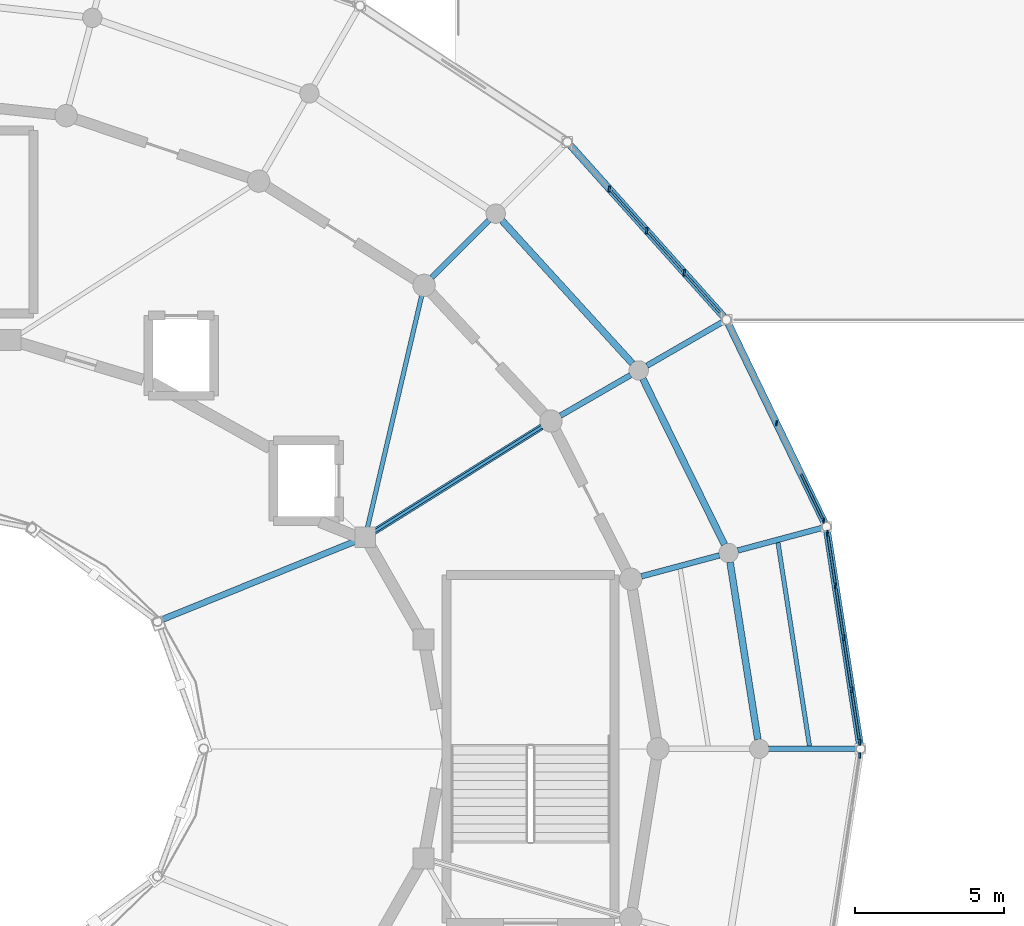
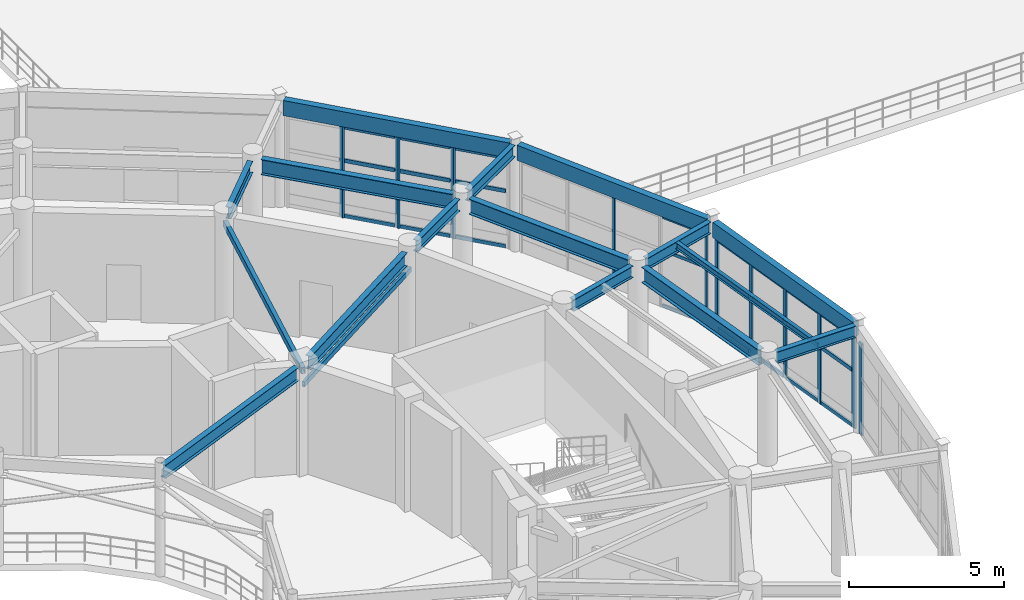
# One storey, part 28 of 60: 37 members, 15 beams, 4 elements without a shape of their own.
"""IFC4 building model written with IfcOpenShell, lengths in metres."""

from ifc_helpers import new_model, si_unit, direction, frame, origin, origin_2d, place, context, subcontext, project, spatial, rectangle, hollow_rectangle, i_section, extrude, material, material_profile, profile_set, type_object, element, aggregate, save


model = new_model("IFC4")

# Units and contexts
model_context = context("Model", 3, precision=1e-05, world=origin(), true_north=direction((0.0, 1.0)))
body_context = subcontext(model_context, "Body", "Model", "MODEL_VIEW")
ifc_project = project(units=[si_unit("LENGTHUNIT", "METRE"), si_unit("AREAUNIT", "SQUARE_METRE"), si_unit("VOLUMEUNIT", "CUBIC_METRE"), si_unit("PLANEANGLEUNIT", "RADIAN"), si_unit("MASSUNIT", "GRAM", prefix="KILO")], contexts=[model_context])

# Site, building, storey
site_placement = place(None, origin())
site = spatial("IfcSite", under=ifc_project, at=site_placement, CompositionType="ELEMENT")
building_placement = place(site_placement, origin())
building = spatial("IfcBuilding", under=site, at=building_placement, Name="Cinderbank Siding Concert Hall", CompositionType="ELEMENT")
storey_placement = place(building_placement, frame((0.0, 0.0, 14.699951171875)))
storey = spatial("IfcBuildingStorey", under=building, at=storey_placement, Name="L04", CompositionType="ELEMENT", Elevation=14.699951171875)

# Beams
ifc_material_1 = material(Name="Structural steel AS/NZS 3679.1 Grade 350 (340 MPa)", Category="steel")
ifc_material_profile_1 = material_profile(ifc_material_1, i_section(OverallWidth=0.19091796875, OverallDepth=0.46044921875, WebThickness=0.010009765625, FlangeThickness=0.01611328125, at=origin_2d()), Name="460UB82.1", Category="LoadBearing")
ifc_profile_set_1 = profile_set([ifc_material_profile_1], Name="Structural steel AS/NZS 3679.1 Grade 350 (340 MPa)")
beam_type_1 = type_object("IfcBeamType", Name="BM-UB460H 460UB82.1", PredefinedType="BEAM", material=ifc_profile_set_1)
beam_1_placement = place(storey_placement, frame((148.2412109375, 49.7890625, 4.03173828125), z_axis=(0.965934410535, 0.258787006135, 0.0), x_axis=(-0.258787006135, 0.965934410535, 0.0)))
element("IfcBeam", 1, at=beam_1_placement, inside=storey, type_object=beam_type_1, Name="L04 Beam BM-UB460H #712", PredefinedType="BEAM", context=body_context, shape_type="SweptSolid", body=[
    extrude(i_section(OverallWidth=0.19091796875, OverallDepth=0.46044921875, WebThickness=0.010009765625, FlangeThickness=0.01611328125, at=origin_2d()), origin(), (0.0, 0.0, 1.0), 2.716064453125),
])
beam_2_placement = place(storey_placement, frame((145.52734375, 55.18359375, 4.03173828125), z_axis=(0.866032896488, 0.499987022033, 0.0), x_axis=(-0.499987022033, 0.866032896488, 0.0)))
element("IfcBeam", 2, at=beam_2_placement, inside=storey, type_object=beam_type_1, Name="L04 Beam BM-UB460H #714", PredefinedType="BEAM", context=body_context, shape_type="SweptSolid", body=[
    extrude(i_section(OverallWidth=0.19091796875, OverallDepth=0.46044921875, WebThickness=0.010009765625, FlangeThickness=0.01611328125, at=origin_2d()), origin(), (0.0, 0.0, 1.0), 2.7158203125),
])
beam_3_placement = place(storey_placement, frame((141.2099609375, 59.81591796875, 4.03173828125), z_axis=(0.707151723938, 0.707061835578, 0.0), x_axis=(-0.707061835578, 0.707151723938, 0.0)))
element("IfcBeam", 3, at=beam_3_placement, inside=storey, type_object=beam_type_1, Name="L04 Beam BM-UB460H #715", PredefinedType="BEAM", context=body_context, shape_type="SweptSolid", body=[
    extrude(i_section(OverallWidth=0.19091796875, OverallDepth=0.46044921875, WebThickness=0.010009765625, FlangeThickness=0.01611328125, at=origin_2d()), origin(), (0.0, 0.0, 1.0), 2.716064453125),
])
for number, where, z_axis, x_axis, name in (
    (4, (152.51708984375, 44.0, 4.001953125), (1.0, 0.0, 0.0), (0.0, 1.0, 0.0), "L04 Beam BM-UB460H #734"),
    (5, (151.477294921875, 50.656005859375, 4.001953125), (0.965904885504, 0.258897184534, 0.0), (-0.258897184534, 0.965904885504, 0.0), "L04 Beam BM-UB460H #735"),
):
    element("IfcBeam", number, at=place(storey_placement, frame(where, z_axis=z_axis, x_axis=x_axis)), inside=storey, type_object=beam_type_1, Name=name, PredefinedType="BEAM", context=body_context, shape_type="SweptSolid", body=[
        extrude(i_section(OverallWidth=0.19091796875, OverallDepth=0.46044921875, WebThickness=0.010009765625, FlangeThickness=0.01611328125, at=origin_2d()), origin(), (0.0, 0.0, 1.0), 2.928955078125),
    ])
beam_4_placement = place(storey_placement, frame((148.428466796875, 56.8583984375, 4.001953125), z_axis=(0.866013467834, 0.500020673103, 0.0), x_axis=(-0.500020673103, 0.866013467834, 0.0)))
element("IfcBeam", 6, at=beam_4_placement, inside=storey, type_object=beam_type_1, Name="L04 Beam BM-UB460H #737", PredefinedType="BEAM", context=body_context, shape_type="SweptSolid", body=[
    extrude(i_section(OverallWidth=0.19091796875, OverallDepth=0.46044921875, WebThickness=0.010009765625, FlangeThickness=0.01611328125, at=origin_2d()), origin(), (0.0, 0.0, 1.0), 2.92919921875),
])
ifc_material_profile_2 = material_profile(ifc_material_1, i_section(OverallWidth=0.208984375, OverallDepth=0.5283203125, WebThickness=0.009521484375, FlangeThickness=0.01318359375, at=origin_2d()), Name="530UB82.0", Category="LoadBearing")
ifc_profile_set_2 = profile_set([ifc_material_profile_2], Name="Structural steel AS/NZS 3679.1 Grade 350 (340 MPa)")
beam_type_2 = type_object("IfcBeamType", Name="BM-UB530 530UB82.0", PredefinedType="BEAM", material=ifc_profile_set_2)
beam_5_placement = place(storey_placement, frame((132.145263671875, 48.332763671875, 3.988037109375), z_axis=(0.926787327391, 0.375586541008, 0.0), x_axis=(-0.375586541008, 0.926787327391, 0.0)))
element("IfcBeam", 7, at=beam_5_placement, inside=storey, type_object=beam_type_2, Name="L04 Beam BM-UB530 #192", PredefinedType="BEAM", context=body_context, shape_type="SweptSolid", body=[
    extrude(i_section(OverallWidth=0.208984375, OverallDepth=0.5283203125, WebThickness=0.009521484375, FlangeThickness=0.01318359375, at=origin_2d()), origin(), (0.0, 0.0, 1.0), 7.026123046875),
])
ifc_material_profile_3 = material_profile(ifc_material_1, i_section(OverallWidth=0.208984375, OverallDepth=0.532958984375, WebThickness=0.01025390625, FlangeThickness=0.015625, at=origin_2d()), Name="530UB92.4", Category="LoadBearing")
ifc_profile_set_3 = profile_set([ifc_material_profile_3], Name="Structural steel AS/NZS 3679.1 Grade 350 (340 MPa)")
beam_type_3 = type_object("IfcBeamType", Name="BM-UB530H 530UB92.4", PredefinedType="BEAM", material=ifc_profile_set_3)
beam_6_placement = place(storey_placement, frame((139.26416015625, 51.281494140625, 3.985595703125), z_axis=(0.84781868984, 0.530286214376, 0.0), x_axis=(-0.530286214376, 0.84781868984, 0.0)))
element("IfcBeam", 8, at=beam_6_placement, inside=storey, type_object=beam_type_3, Name="L04 Beam BM-UB530H #700", PredefinedType="BEAM", context=body_context, shape_type="SweptSolid", body=[
    extrude(i_section(OverallWidth=0.208984375, OverallDepth=0.532958984375, WebThickness=0.01025390625, FlangeThickness=0.015625, at=origin_2d()), origin(), (0.0, 0.0, 1.0), 6.645263671875),
])
ifc_material_profile_4 = material_profile(ifc_material_1, i_section(OverallWidth=0.22802734375, OverallDepth=0.60693359375, WebThickness=0.01123046875, FlangeThickness=0.017333984375, at=origin_2d()), Name="610UB113", Category="LoadBearing")
ifc_profile_set_4 = profile_set([ifc_material_profile_4], Name="Structural steel AS/NZS 3679.1 Grade 350 (340 MPa)")
beam_type_4 = type_object("IfcBeamType", Name="BM-UB610M 610UB113", PredefinedType="BEAM", material=ifc_profile_set_4)
beam_7_placement = place(storey_placement, frame((152.15087890625, 44.313232421875, 3.928466796875), z_axis=(-0.154637914322, 0.987971211855, 0.0), x_axis=(-0.987971211855, -0.154637914322, 0.0)))
element("IfcBeam", 9, at=beam_7_placement, inside=storey, type_object=beam_type_4, Name="L04 Beam BM-UB610M #652", PredefinedType="BEAM", context=body_context, shape_type="SweptSolid", body=[
    extrude(i_section(OverallWidth=0.22802734375, OverallDepth=0.60693359375, WebThickness=0.01123046875, FlangeThickness=0.017333984375, at=origin_2d()), origin(), (0.0, 0.0, 1.0), 6.02001953125),
])
beam_8_placement = place(storey_placement, frame((151.031005859375, 50.8583984375, 3.928466796875), z_axis=(-0.441813843649, 0.897106753714, 0.0), x_axis=(-0.897106753714, -0.441813843649, 0.0)))
element("IfcBeam", 10, at=beam_8_placement, inside=storey, type_object=beam_type_4, Name="L04 Beam BM-UB610M #653", PredefinedType="BEAM", context=body_context, shape_type="SweptSolid", body=[
    extrude(i_section(OverallWidth=0.22802734375, OverallDepth=0.60693359375, WebThickness=0.01123046875, FlangeThickness=0.017333984375, at=origin_2d()), origin(), (0.0, 0.0, 1.0), 6.194580078125),
])
beam_9_placement = place(storey_placement, frame((147.940185546875, 56.93408203125, 3.928466796875), z_axis=(-0.67395874418, 0.73876898361, 0.0), x_axis=(-0.73876898361, -0.67395874418, 0.0)))
element("IfcBeam", 11, at=beam_9_placement, inside=storey, type_object=beam_type_4, Name="L04 Beam BM-UB610M #654", PredefinedType="BEAM", context=body_context, shape_type="SweptSolid", body=[
    extrude(i_section(OverallWidth=0.22802734375, OverallDepth=0.60693359375, WebThickness=0.01123046875, FlangeThickness=0.017333984375, at=origin_2d()), origin(), (0.0, 0.0, 1.0), 6.48681640625),
])

# Curtain wall, members
ifc_material_2 = material(Name="Anodised aluminium alloy 6063-T6", Category="aluminium")
curtain_wall_type_1 = type_object("IfcCurtainWallType", Name="CW-02 Unitised Acoustic Curtain Wall 7800x4400", PredefinedType="NOTDEFINED", material=ifc_material_2)
curtain_wall_1_placement = place(storey_placement, origin())
curtain_wall_1 = element("IfcCurtainWall", 12, at=curtain_wall_1_placement, inside=storey, type_object=curtain_wall_type_1, Name="L04 Curtain Wall CW-02 #50", PredefinedType="NOTDEFINED")
ifc_material_profile_5 = material_profile(ifc_material_2, rectangle(XDim=0.06005859375, YDim=0.159912109375, at=origin_2d()), Name="ALU-MULL-60x160", Category="LoadBearing")
ifc_profile_set_5 = profile_set([ifc_material_profile_5], Name="Anodised aluminium alloy 6063-T6")
member_type_1 = type_object("IfcMemberType", Name="CW-ML1 Mullion 60x160", PredefinedType="MULLION", material=ifc_profile_set_5)
member_1_placement = place(storey_placement, frame((154.3564453125, 51.658203125, 0.0), z_axis=(0.0, 0.0, 1.0), x_axis=(1.0, 0.0, 0.0)))
member_1 = element("IfcMember", 13, at=member_1_placement, type_object=member_type_1, Name="CW-L04-050 Mullion 0", PredefinedType="MULLION", context=body_context, shape_type="SweptSolid", body=[
    extrude(rectangle(XDim=0.06005859375, YDim=0.159912109375, at=origin_2d()), origin(), (0.0, 0.0, 1.0), 3.616943359375),
])
member_2_placement = place(storey_placement, frame((152.77685546875, 54.927001953125, 0.0), z_axis=(0.0, 0.0, 1.0), x_axis=(1.0, 0.0, 0.0)))
member_2 = element("IfcMember", 14, at=member_2_placement, type_object=member_type_1, Name="CW-L04-050 Mullion 2", PredefinedType="MULLION", context=body_context, shape_type="SweptSolid", body=[
    extrude(rectangle(XDim=0.06005859375, YDim=0.159912109375, at=origin_2d()), origin(), (0.0, 0.0, 1.0), 3.616943359375),
])

curtain_wall_type_2 = type_object("IfcCurtainWallType", Name="CW-01 Unitised Acoustic Curtain Wall 8200x4400", PredefinedType="NOTDEFINED", material=ifc_material_2)
curtain_wall_2_placement = place(storey_placement, origin())
curtain_wall_2 = element("IfcCurtainWall", 15, at=curtain_wall_2_placement, inside=storey, type_object=curtain_wall_type_2, Name="L04 Curtain Wall CW-01 #49", PredefinedType="NOTDEFINED")
ifc_material_profile_6 = material_profile(ifc_material_2, rectangle(XDim=0.06494140625, YDim=0.199951171875, at=origin_2d()), Name="ALU-MULL-65x200", Category="LoadBearing")
ifc_profile_set_6 = profile_set([ifc_material_profile_6], Name="Anodised aluminium alloy 6063-T6")
member_type_2 = type_object("IfcMemberType", Name="CW-ML2 Mullion 65x200", PredefinedType="MULLION", material=ifc_profile_set_6)
member_3_placement = place(storey_placement, frame((155.5654296875, 44.224365234375, 0.0), z_axis=(0.0, 0.0, 1.0), x_axis=(1.0, 0.0, 0.0)))
member_3 = element("IfcMember", 16, at=member_3_placement, type_object=member_type_2, Name="CW-L04-049 Mullion 0", PredefinedType="MULLION", context=body_context, shape_type="SweptSolid", body=[
    extrude(rectangle(XDim=0.06494140625, YDim=0.199951171875, at=origin_2d()), origin(), (0.0, 0.0, 1.0), 3.616943359375),
])
member_4_placement = place(storey_placement, frame((155.29638671875, 45.9755859375, 0.0), z_axis=(0.0, 0.0, 1.0), x_axis=(1.0, 0.0, 0.0)))
member_4 = element("IfcMember", 17, at=member_4_placement, type_object=member_type_2, Name="CW-L04-049 Mullion 1", PredefinedType="MULLION", context=body_context, shape_type="SweptSolid", body=[
    extrude(rectangle(XDim=0.06494140625, YDim=0.199951171875, at=origin_2d()), origin(), (0.0, 0.0, 1.0), 3.616943359375),
])
member_5_placement = place(storey_placement, frame((155.027587890625, 47.72705078125, 0.0), z_axis=(0.0, 0.0, 1.0), x_axis=(1.0, 0.0, 0.0)))
member_5 = element("IfcMember", 18, at=member_5_placement, type_object=member_type_2, Name="CW-L04-049 Mullion 2", PredefinedType="MULLION", context=body_context, shape_type="SweptSolid", body=[
    extrude(rectangle(XDim=0.06494140625, YDim=0.199951171875, at=origin_2d()), origin(), (0.0, 0.0, 1.0), 3.616943359375),
])
member_6_placement = place(storey_placement, frame((154.758544921875, 49.478271484375, 0.0), z_axis=(0.0, 0.0, 1.0), x_axis=(1.0, 0.0, 0.0)))
member_6 = element("IfcMember", 19, at=member_6_placement, type_object=member_type_2, Name="CW-L04-049 Mullion 3", PredefinedType="MULLION", context=body_context, shape_type="SweptSolid", body=[
    extrude(rectangle(XDim=0.06494140625, YDim=0.199951171875, at=origin_2d()), origin(), (0.0, 0.0, 1.0), 3.616943359375),
])
member_7_placement = place(storey_placement, frame((154.489501953125, 51.229736328125, 0.0), z_axis=(0.0, 0.0, 1.0), x_axis=(1.0, 0.0, 0.0)))
member_7 = element("IfcMember", 20, at=member_7_placement, type_object=member_type_2, Name="CW-L04-049 Mullion 4", PredefinedType="MULLION", context=body_context, shape_type="SweptSolid", body=[
    extrude(rectangle(XDim=0.06494140625, YDim=0.199951171875, at=origin_2d()), origin(), (0.0, 0.0, 1.0), 3.616943359375),
])

curtain_wall_type_3 = type_object("IfcCurtainWallType", Name="CW-03 Unitised Acoustic Curtain Wall 7400x4400", PredefinedType="NOTDEFINED", material=ifc_material_2)
curtain_wall_3_placement = place(storey_placement, origin())
curtain_wall_3 = element("IfcCurtainWall", 21, at=curtain_wall_3_placement, inside=storey, type_object=curtain_wall_type_3, Name="L04 Curtain Wall CW-03 #51", PredefinedType="NOTDEFINED")
member_8_placement = place(storey_placement, frame((149.68798828125, 59.9755859375, 0.0), z_axis=(0.0, 0.0, 1.0), x_axis=(1.0, 0.0, 0.0)))
member_8 = element("IfcMember", 22, at=member_8_placement, type_object=member_type_2, Name="CW-L04-051 Mullion 1", PredefinedType="MULLION", context=body_context, shape_type="SweptSolid", body=[
    extrude(rectangle(XDim=0.06494140625, YDim=0.199951171875, at=origin_2d()), origin(), (0.0, 0.0, 1.0), 3.616943359375),
])
member_9_placement = place(storey_placement, frame((148.4287109375, 61.38232421875, 0.0), z_axis=(0.0, 0.0, 1.0), x_axis=(1.0, 0.0, 0.0)))
member_9 = element("IfcMember", 23, at=member_9_placement, type_object=member_type_2, Name="CW-L04-051 Mullion 2", PredefinedType="MULLION", context=body_context, shape_type="SweptSolid", body=[
    extrude(rectangle(XDim=0.06494140625, YDim=0.199951171875, at=origin_2d()), origin(), (0.0, 0.0, 1.0), 3.616943359375),
])
member_10_placement = place(storey_placement, frame((147.16943359375, 62.7890625, 0.0), z_axis=(0.0, 0.0, 1.0), x_axis=(1.0, 0.0, 0.0)))
member_10 = element("IfcMember", 24, at=member_10_placement, type_object=member_type_2, Name="CW-L04-051 Mullion 3", PredefinedType="MULLION", context=body_context, shape_type="SweptSolid", body=[
    extrude(rectangle(XDim=0.06494140625, YDim=0.199951171875, at=origin_2d()), origin(), (0.0, 0.0, 1.0), 3.616943359375),
])

# Curtain wall, member
curtain_wall_type_4 = type_object("IfcCurtainWallType", Name="CW-12 Unitised Acoustic Curtain Wall 5800x3500", PredefinedType="NOTDEFINED", material=ifc_material_2)
curtain_wall_4_placement = place(storey_placement, origin())
curtain_wall_4 = element("IfcCurtainWall", 25, at=curtain_wall_4_placement, inside=storey, type_object=curtain_wall_type_4, Name="L04 Curtain Wall CW-12 #71", PredefinedType="NOTDEFINED")
member_11_placement = place(storey_placement, frame((155.5654296875, 43.775634765625, 0.0), z_axis=(0.0, 0.0, 1.0), x_axis=(1.0, 0.0, 0.0)))
member_11 = element("IfcMember", 26, at=member_11_placement, type_object=member_type_2, Name="CW-L04-071 Mullion 4", PredefinedType="MULLION", context=body_context, shape_type="SweptSolid", body=[
    extrude(rectangle(XDim=0.06494140625, YDim=0.199951171875, at=origin_2d()), origin(), (0.0, 0.0, 1.0), 3.616943359375),
])
aggregate(curtain_wall_4, [member_11])

# Member
ifc_material_profile_7 = material_profile(ifc_material_2, rectangle(XDim=0.06005859375, YDim=0.1201171875, at=origin_2d()), Name="ALU-TRAN-60x120", Category="LoadBearing")
ifc_profile_set_7 = profile_set([ifc_material_profile_7], Name="Anodised aluminium alloy 6063-T6")
member_type_3 = type_object("IfcMemberType", Name="CW-TR1 Transom 60x120", PredefinedType="USERDEFINED", material=ifc_profile_set_7)
member_12_placement = place(storey_placement, frame((154.31689453125, 51.739990234375, 0.06005859375), z_axis=(-0.435037415308, 0.900412376238, 0.0), x_axis=(-0.900412376238, -0.435037415308, 0.0)))
member_12 = element("IfcMember", 27, at=member_12_placement, type_object=member_type_3, Name="CW-L04-050 Transom 0-0", ObjectType="TRANSOM", PredefinedType="USERDEFINED", context=body_context, shape_type="SweptSolid", body=[
    extrude(rectangle(XDim=0.06005859375, YDim=0.1201171875, at=origin_2d()), origin(), (0.0, 0.0, 1.0), 1.633544921875),
])

member_13_placement = place(storey_placement, frame((154.31689453125, 51.739990234375, 2.242431640625), z_axis=(-0.435037415308, 0.900412376238, 0.0), x_axis=(-0.900412376238, -0.435037415308, 0.0)))
member_13 = element("IfcMember", 28, at=member_13_placement, type_object=member_type_3, Name="CW-L04-050 Transom 0-1", ObjectType="TRANSOM", PredefinedType="USERDEFINED", context=body_context, shape_type="SweptSolid", body=[
    extrude(rectangle(XDim=0.06005859375, YDim=0.1201171875, at=origin_2d()), origin(), (0.0, 0.0, 1.0), 1.633544921875),
])

member_14_placement = place(storey_placement, frame((154.31689453125, 51.739990234375, 3.55712890625), z_axis=(-0.435037415308, 0.900412376238, 0.0), x_axis=(-0.900412376238, -0.435037415308, 0.0)))
member_14 = element("IfcMember", 29, at=member_14_placement, type_object=member_type_3, Name="CW-L04-050 Transom 0-2", ObjectType="TRANSOM", PredefinedType="USERDEFINED", context=body_context, shape_type="SweptSolid", body=[
    extrude(rectangle(XDim=0.06005859375, YDim=0.1201171875, at=origin_2d()), origin(), (0.0, 0.0, 1.0), 1.633544921875),
])

aggregate(curtain_wall_1, [member_1, member_2, member_12, member_13, member_14])

ifc_material_profile_8 = material_profile(ifc_material_2, rectangle(XDim=0.06494140625, YDim=0.14990234375, at=origin_2d()), Name="ALU-TRAN-65x150", Category="LoadBearing")
ifc_profile_set_8 = profile_set([ifc_material_profile_8], Name="Anodised aluminium alloy 6063-T6")
member_type_4 = type_object("IfcMemberType", Name="CW-TR2 Transom 65x150", PredefinedType="USERDEFINED", material=ifc_profile_set_8)
member_15_placement = place(storey_placement, frame((155.552001953125, 44.31201171875, 0.06005859375), z_axis=(-0.151723538324, 0.988422970149, 0.0), x_axis=(-0.988422970149, -0.151723538324, 0.0)))
member_15 = element("IfcMember", 30, at=member_15_placement, type_object=member_type_4, Name="CW-L04-049 Transom 0-0", ObjectType="TRANSOM", PredefinedType="USERDEFINED", context=body_context, shape_type="SweptSolid", body=[
    extrude(rectangle(XDim=0.06494140625, YDim=0.14990234375, at=origin_2d()), origin(), (0.0, 0.0, 1.0), 1.5947265625),
])

member_16_placement = place(storey_placement, frame((155.552001953125, 44.31201171875, 2.242431640625), z_axis=(-0.151723538324, 0.988422970149, 0.0), x_axis=(-0.988422970149, -0.151723538324, 0.0)))
member_16 = element("IfcMember", 31, at=member_16_placement, type_object=member_type_4, Name="CW-L04-049 Transom 0-1", ObjectType="TRANSOM", PredefinedType="USERDEFINED", context=body_context, shape_type="SweptSolid", body=[
    extrude(rectangle(XDim=0.06494140625, YDim=0.14990234375, at=origin_2d()), origin(), (0.0, 0.0, 1.0), 1.5947265625),
])

member_17_placement = place(storey_placement, frame((155.552001953125, 44.31201171875, 3.55712890625), z_axis=(-0.151723538324, 0.988422970149, 0.0), x_axis=(-0.988422970149, -0.151723538324, 0.0)))
member_17 = element("IfcMember", 32, at=member_17_placement, type_object=member_type_4, Name="CW-L04-049 Transom 0-2", ObjectType="TRANSOM", PredefinedType="USERDEFINED", context=body_context, shape_type="SweptSolid", body=[
    extrude(rectangle(XDim=0.06494140625, YDim=0.14990234375, at=origin_2d()), origin(), (0.0, 0.0, 1.0), 1.5947265625),
])

member_18_placement = place(storey_placement, frame((155.283203125, 46.063232421875, 0.06005859375), z_axis=(-0.151873110161, 0.988399999196, 0.0), x_axis=(-0.988399999196, -0.151873110161, 0.0)))
member_18 = element("IfcMember", 33, at=member_18_placement, type_object=member_type_4, Name="CW-L04-049 Transom 1-0", ObjectType="TRANSOM", PredefinedType="USERDEFINED", context=body_context, shape_type="SweptSolid", body=[
    extrude(rectangle(XDim=0.06494140625, YDim=0.14990234375, at=origin_2d()), origin(), (0.0, 0.0, 1.0), 1.5947265625),
])

member_19_placement = place(storey_placement, frame((155.283203125, 46.063232421875, 2.242431640625), z_axis=(-0.151873110161, 0.988399999196, 0.0), x_axis=(-0.988399999196, -0.151873110161, 0.0)))
member_19 = element("IfcMember", 34, at=member_19_placement, type_object=member_type_4, Name="CW-L04-049 Transom 1-1", ObjectType="TRANSOM", PredefinedType="USERDEFINED", context=body_context, shape_type="SweptSolid", body=[
    extrude(rectangle(XDim=0.06494140625, YDim=0.14990234375, at=origin_2d()), origin(), (0.0, 0.0, 1.0), 1.5947265625),
])

member_20_placement = place(storey_placement, frame((155.283203125, 46.063232421875, 3.55712890625), z_axis=(-0.151873110161, 0.988399999196, 0.0), x_axis=(-0.988399999196, -0.151873110161, 0.0)))
member_20 = element("IfcMember", 35, at=member_20_placement, type_object=member_type_4, Name="CW-L04-049 Transom 1-2", ObjectType="TRANSOM", PredefinedType="USERDEFINED", context=body_context, shape_type="SweptSolid", body=[
    extrude(rectangle(XDim=0.06494140625, YDim=0.14990234375, at=origin_2d()), origin(), (0.0, 0.0, 1.0), 1.5947265625),
])

member_21_placement = place(storey_placement, frame((155.01416015625, 47.814697265625, 0.06005859375), z_axis=(-0.151873110161, 0.988399999196, 0.0), x_axis=(-0.988399999196, -0.151873110161, 0.0)))
member_21 = element("IfcMember", 36, at=member_21_placement, type_object=member_type_4, Name="CW-L04-049 Transom 2-0", ObjectType="TRANSOM", PredefinedType="USERDEFINED", context=body_context, shape_type="SweptSolid", body=[
    extrude(rectangle(XDim=0.06494140625, YDim=0.14990234375, at=origin_2d()), origin(), (0.0, 0.0, 1.0), 1.5947265625),
])

member_22_placement = place(storey_placement, frame((155.01416015625, 47.814697265625, 2.242431640625), z_axis=(-0.151873110161, 0.988399999196, 0.0), x_axis=(-0.988399999196, -0.151873110161, 0.0)))
member_22 = element("IfcMember", 37, at=member_22_placement, type_object=member_type_4, Name="CW-L04-049 Transom 2-1", ObjectType="TRANSOM", PredefinedType="USERDEFINED", context=body_context, shape_type="SweptSolid", body=[
    extrude(rectangle(XDim=0.06494140625, YDim=0.14990234375, at=origin_2d()), origin(), (0.0, 0.0, 1.0), 1.5947265625),
])

member_23_placement = place(storey_placement, frame((155.01416015625, 47.814697265625, 3.55712890625), z_axis=(-0.151873110161, 0.988399999196, 0.0), x_axis=(-0.988399999196, -0.151873110161, 0.0)))
member_23 = element("IfcMember", 38, at=member_23_placement, type_object=member_type_4, Name="CW-L04-049 Transom 2-2", ObjectType="TRANSOM", PredefinedType="USERDEFINED", context=body_context, shape_type="SweptSolid", body=[
    extrude(rectangle(XDim=0.06494140625, YDim=0.14990234375, at=origin_2d()), origin(), (0.0, 0.0, 1.0), 1.5947265625),
])

member_24_placement = place(storey_placement, frame((154.7451171875, 49.56591796875, 0.06005859375), z_axis=(-0.151873110161, 0.988399999196, 0.0), x_axis=(-0.988399999196, -0.151873110161, 0.0)))
member_24 = element("IfcMember", 39, at=member_24_placement, type_object=member_type_4, Name="CW-L04-049 Transom 3-0", ObjectType="TRANSOM", PredefinedType="USERDEFINED", context=body_context, shape_type="SweptSolid", body=[
    extrude(rectangle(XDim=0.06494140625, YDim=0.14990234375, at=origin_2d()), origin(), (0.0, 0.0, 1.0), 1.5947265625),
])

member_25_placement = place(storey_placement, frame((154.7451171875, 49.56591796875, 2.242431640625), z_axis=(-0.151873110161, 0.988399999196, 0.0), x_axis=(-0.988399999196, -0.151873110161, 0.0)))
member_25 = element("IfcMember", 40, at=member_25_placement, type_object=member_type_4, Name="CW-L04-049 Transom 3-1", ObjectType="TRANSOM", PredefinedType="USERDEFINED", context=body_context, shape_type="SweptSolid", body=[
    extrude(rectangle(XDim=0.06494140625, YDim=0.14990234375, at=origin_2d()), origin(), (0.0, 0.0, 1.0), 1.5947265625),
])

member_26_placement = place(storey_placement, frame((154.7451171875, 49.56591796875, 3.55712890625), z_axis=(-0.151873110161, 0.988399999196, 0.0), x_axis=(-0.988399999196, -0.151873110161, 0.0)))
member_26 = element("IfcMember", 41, at=member_26_placement, type_object=member_type_4, Name="CW-L04-049 Transom 3-2", ObjectType="TRANSOM", PredefinedType="USERDEFINED", context=body_context, shape_type="SweptSolid", body=[
    extrude(rectangle(XDim=0.06494140625, YDim=0.14990234375, at=origin_2d()), origin(), (0.0, 0.0, 1.0), 1.5947265625),
])

aggregate(curtain_wall_2, [member_3, member_4, member_5, member_6, member_7, member_15, member_16, member_17, member_18, member_19, member_20, member_21, member_22, member_23, member_24, member_25, member_26])

member_27_placement = place(storey_placement, frame((150.88427734375, 58.639404296875, 0.06005859375), z_axis=(-0.667025792822, 0.745034624504, 0.0), x_axis=(-0.745034624504, -0.667025792822, 0.0)))
member_27 = element("IfcMember", 42, at=member_27_placement, type_object=member_type_4, Name="CW-L04-051 Transom 0-0", ObjectType="TRANSOM", PredefinedType="USERDEFINED", context=body_context, shape_type="SweptSolid", body=[
    extrude(rectangle(XDim=0.06494140625, YDim=0.14990234375, at=origin_2d()), origin(), (0.0, 0.0, 1.0), 1.699462890625),
])

member_28_placement = place(storey_placement, frame((150.88427734375, 58.639404296875, 2.242431640625), z_axis=(-0.667025792822, 0.745034624504, 0.0), x_axis=(-0.745034624504, -0.667025792822, 0.0)))
member_28 = element("IfcMember", 43, at=member_28_placement, type_object=member_type_4, Name="CW-L04-051 Transom 0-1", ObjectType="TRANSOM", PredefinedType="USERDEFINED", context=body_context, shape_type="SweptSolid", body=[
    extrude(rectangle(XDim=0.06494140625, YDim=0.14990234375, at=origin_2d()), origin(), (0.0, 0.0, 1.0), 1.699462890625),
])

member_29_placement = place(storey_placement, frame((150.88427734375, 58.639404296875, 3.55712890625), z_axis=(-0.667025792822, 0.745034624504, 0.0), x_axis=(-0.745034624504, -0.667025792822, 0.0)))
member_29 = element("IfcMember", 44, at=member_29_placement, type_object=member_type_4, Name="CW-L04-051 Transom 0-2", ObjectType="TRANSOM", PredefinedType="USERDEFINED", context=body_context, shape_type="SweptSolid", body=[
    extrude(rectangle(XDim=0.06494140625, YDim=0.14990234375, at=origin_2d()), origin(), (0.0, 0.0, 1.0), 1.699462890625),
])

member_30_placement = place(storey_placement, frame((149.625, 60.046142578125, 0.06005859375), z_axis=(-0.667017441515, 0.745042101304, 0.0), x_axis=(-0.745042101304, -0.667017441515, 0.0)))
member_30 = element("IfcMember", 45, at=member_30_placement, type_object=member_type_4, Name="CW-L04-051 Transom 1-0", ObjectType="TRANSOM", PredefinedType="USERDEFINED", context=body_context, shape_type="SweptSolid", body=[
    extrude(rectangle(XDim=0.06494140625, YDim=0.14990234375, at=origin_2d()), origin(), (0.0, 0.0, 1.0), 1.698974609375),
])

member_31_placement = place(storey_placement, frame((149.625, 60.046142578125, 2.242431640625), z_axis=(-0.667017441515, 0.745042101304, 0.0), x_axis=(-0.745042101304, -0.667017441515, 0.0)))
member_31 = element("IfcMember", 46, at=member_31_placement, type_object=member_type_4, Name="CW-L04-051 Transom 1-1", ObjectType="TRANSOM", PredefinedType="USERDEFINED", context=body_context, shape_type="SweptSolid", body=[
    extrude(rectangle(XDim=0.06494140625, YDim=0.14990234375, at=origin_2d()), origin(), (0.0, 0.0, 1.0), 1.698974609375),
])

member_32_placement = place(storey_placement, frame((149.625, 60.046142578125, 3.55712890625), z_axis=(-0.667017441515, 0.745042101304, 0.0), x_axis=(-0.745042101304, -0.667017441515, 0.0)))
member_32 = element("IfcMember", 47, at=member_32_placement, type_object=member_type_4, Name="CW-L04-051 Transom 1-2", ObjectType="TRANSOM", PredefinedType="USERDEFINED", context=body_context, shape_type="SweptSolid", body=[
    extrude(rectangle(XDim=0.06494140625, YDim=0.14990234375, at=origin_2d()), origin(), (0.0, 0.0, 1.0), 1.698974609375),
])

member_33_placement = place(storey_placement, frame((148.36572265625, 61.45263671875, 0.06005859375), z_axis=(-0.667017441515, 0.745042101304, 0.0), x_axis=(-0.745042101304, -0.667017441515, 0.0)))
member_33 = element("IfcMember", 48, at=member_33_placement, type_object=member_type_4, Name="CW-L04-051 Transom 2-0", ObjectType="TRANSOM", PredefinedType="USERDEFINED", context=body_context, shape_type="SweptSolid", body=[
    extrude(rectangle(XDim=0.06494140625, YDim=0.14990234375, at=origin_2d()), origin(), (0.0, 0.0, 1.0), 1.698974609375),
])

member_34_placement = place(storey_placement, frame((148.36572265625, 61.45263671875, 2.242431640625), z_axis=(-0.667017441515, 0.745042101304, 0.0), x_axis=(-0.745042101304, -0.667017441515, 0.0)))
member_34 = element("IfcMember", 49, at=member_34_placement, type_object=member_type_4, Name="CW-L04-051 Transom 2-1", ObjectType="TRANSOM", PredefinedType="USERDEFINED", context=body_context, shape_type="SweptSolid", body=[
    extrude(rectangle(XDim=0.06494140625, YDim=0.14990234375, at=origin_2d()), origin(), (0.0, 0.0, 1.0), 1.698974609375),
])

member_35_placement = place(storey_placement, frame((148.36572265625, 61.45263671875, 3.55712890625), z_axis=(-0.667017441515, 0.745042101304, 0.0), x_axis=(-0.745042101304, -0.667017441515, 0.0)))
member_35 = element("IfcMember", 50, at=member_35_placement, type_object=member_type_4, Name="CW-L04-051 Transom 2-2", ObjectType="TRANSOM", PredefinedType="USERDEFINED", context=body_context, shape_type="SweptSolid", body=[
    extrude(rectangle(XDim=0.06494140625, YDim=0.14990234375, at=origin_2d()), origin(), (0.0, 0.0, 1.0), 1.698974609375),
])

aggregate(curtain_wall_3, [member_8, member_9, member_10, member_27, member_28, member_29, member_30, member_31, member_32, member_33, member_34, member_35])

# Beam
ifc_material_profile_9 = material_profile(ifc_material_1, i_section(OverallWidth=0.146484375, OverallDepth=0.256103515625, WebThickness=0.00634765625, FlangeThickness=0.010986328125, at=origin_2d()), Name="250UB37.3", Category="LoadBearing")
ifc_profile_set_9 = profile_set([ifc_material_profile_9], Name="Structural steel AS/NZS 3679.1 Grade 350 (340 MPa)")
beam_type_5 = type_object("IfcBeamType", Name="JS-UB250H 250UB37.3", PredefinedType="JOIST", material=ifc_profile_set_9)
beam_10_placement = place(storey_placement, frame((153.88623046875, 44.08837890625, 4.10400390625), z_axis=(-0.153109789384, 0.988209184533, 0.0), x_axis=(-0.988209184533, -0.153109789384, 0.0)))
element("IfcBeam", 51, at=beam_10_placement, inside=storey, type_object=beam_type_5, Name="L04 Beam JS-UB250H #736", PredefinedType="JOIST", context=body_context, shape_type="SweptSolid", body=[
    extrude(i_section(OverallWidth=0.146484375, OverallDepth=0.256103515625, WebThickness=0.00634765625, FlangeThickness=0.010986328125, at=origin_2d()), origin(), (0.0, 0.0, 1.0), 6.918701171875),
])

# Member
ifc_material_3 = material(Name="Structural steel hollow section AS/NZS 1163 Grade C350L0 (350 MPa)", Category="steel")
ifc_material_profile_10 = material_profile(ifc_material_3, hollow_rectangle(XDim=0.10009765625, YDim=0.199951171875, WallThickness=0.008056640625, at=origin_2d()), Name="200x100x8.0RHS", Category="LoadBearing")
ifc_profile_set_10 = profile_set([ifc_material_profile_10], Name="Structural steel hollow section AS/NZS 1163 Grade C350L0 (350 MPa)")
member_type_5 = type_object("IfcMemberType", Name="PR-RHS200 200x100x8.0RHS Roof Truss", PredefinedType="PURLIN", material=ifc_profile_set_10)
member_36_placement = place(storey_placement, frame((138.97412109375, 51.10009765625, 3.340087890625), z_axis=(0.847826684568, 0.530273432235, 0.0), x_axis=(-0.530273432235, 0.847826684568, 0.0)))
element("IfcMember", 52, at=member_36_placement, inside=storey, type_object=member_type_5, Name="L04 Roof Truss Member PR-RHS200 #2271", PredefinedType="PURLIN", context=body_context, shape_type="SweptSolid", body=[
    extrude(hollow_rectangle(XDim=0.10009765625, YDim=0.199951171875, WallThickness=0.008056640625, at=origin_2d()), origin(), (0.0, 0.0, 1.0), 7.3544921875),
])

# Beams
ifc_material_4 = material(Name="Spotted gum glulam timber GL18 (42 MPa)", Category="wood")
ifc_material_profile_11 = material_profile(ifc_material_4, rectangle(XDim=0.239990234375, YDim=0.60009765625, at=origin_2d()), Name="GL18-240x600", Category="LoadBearing")
ifc_profile_set_11 = profile_set([ifc_material_profile_11], Name="Spotted gum glulam timber GL18 (42 MPa)")
beam_type_6 = type_object("IfcBeamType", Name="SP-GL600 GL18-240x600", PredefinedType="SPANDREL", material=ifc_profile_set_11)
beam_11_placement = place(storey_placement, frame((155.57666015625, 44.152099609375, 3.93212890625), z_axis=(-0.151813701486, 0.988409125839, 0.0), x_axis=(-0.988409125839, -0.151813701486, 0.0)))
element("IfcBeam", 53, at=beam_11_placement, inside=storey, type_object=beam_type_6, Name="L04 Beam SP-GL600 #676", PredefinedType="SPANDREL", context=body_context, shape_type="SweptSolid", body=[
    extrude(rectangle(XDim=0.239990234375, YDim=0.60009765625, at=origin_2d()), origin(), (0.0, 0.0, 1.0), 7.2333984375),
])
beam_12_placement = place(storey_placement, frame((154.38818359375, 51.592529296875, 3.93212890625), z_axis=(-0.435095625105, 0.900384249648, 0.0), x_axis=(-0.900384249648, -0.435095625105, 0.0)))
element("IfcBeam", 54, at=beam_12_placement, inside=storey, type_object=beam_type_6, Name="L04 Beam SP-GL600 #677", PredefinedType="SPANDREL", context=body_context, shape_type="SweptSolid", body=[
    extrude(rectangle(XDim=0.239990234375, YDim=0.60009765625, at=origin_2d()), origin(), (0.0, 0.0, 1.0), 7.40673828125),
])
beam_13_placement = place(storey_placement, frame((150.995849609375, 58.5146484375, 3.93212890625), z_axis=(-0.666985816213, 0.745070413432, 0.0), x_axis=(-0.745070413432, -0.666985816213, 0.0)))
element("IfcBeam", 55, at=beam_13_placement, inside=storey, type_object=beam_type_6, Name="L04 Beam SP-GL600 #678", PredefinedType="SPANDREL", context=body_context, shape_type="SweptSolid", body=[
    extrude(rectangle(XDim=0.239990234375, YDim=0.60009765625, at=origin_2d()), origin(), (0.0, 0.0, 1.0), 7.69775390625),
])

# Member
ifc_material_profile_12 = material_profile(ifc_material_3, hollow_rectangle(XDim=0.14990234375, YDim=0.25, WallThickness=0.009033203125, at=origin_2d()), Name="250x150x9.0RHS", Category="LoadBearing")
ifc_profile_set_12 = profile_set([ifc_material_profile_12], Name="Structural steel hollow section AS/NZS 1163 Grade C350L0 (350 MPa)")
member_type_6 = type_object("IfcMemberType", Name="TR-RHS250 250x150x9.0RHS Roof Truss", PredefinedType="RAFTER", material=ifc_profile_set_12)
member_37_placement = place(storey_placement, frame((138.97412109375, 51.10009765625, 3.880126953125), z_axis=(0.227577092084, 0.973760066525, 0.0), x_axis=(-0.973760066525, 0.227577092084, 0.0)))
element("IfcMember", 56, at=member_37_placement, inside=storey, type_object=member_type_6, Name="L04 Roof Truss Member TR-RHS250 #2270", PredefinedType="RAFTER", context=body_context, shape_type="SweptSolid", body=[
    extrude(hollow_rectangle(XDim=0.14990234375, YDim=0.25, WallThickness=0.009033203125, at=origin_2d()), origin(), (0.0, 0.0, 1.0), 8.68408203125),
])

save(model, "model.ifc")
